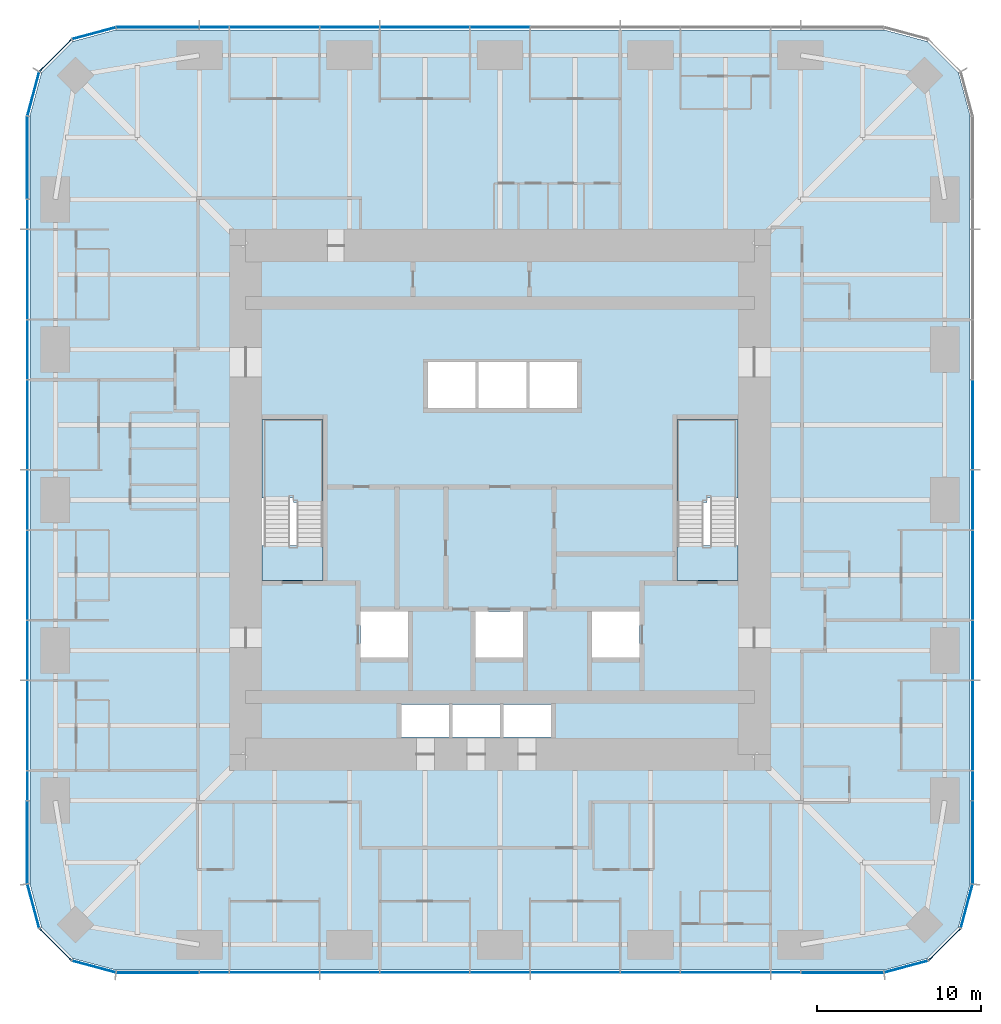
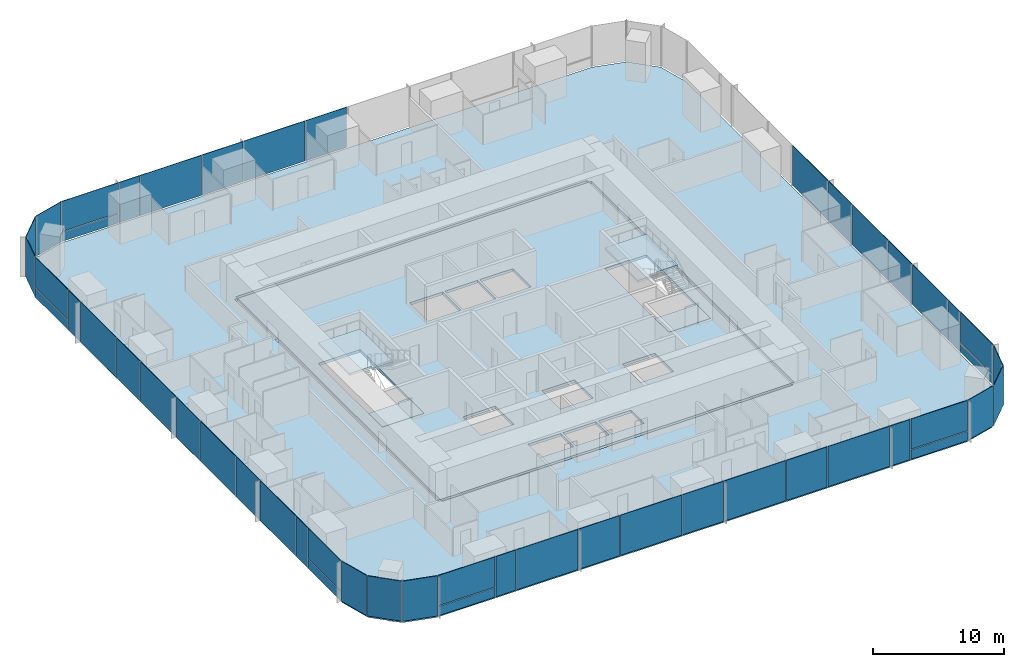
# One storey, part 7 of 13: 50 plates, 6 slabs, 9 elements without a shape of their own.
"""IFC4 building model written with IfcOpenShell, lengths in metres."""

from ifc_helpers import new_model, si_unit, direction, frame, origin, origin_2d, place, context, subcontext, project, spatial, polyline, rectangle, outline, extrude, material, layer, layer_set, type_object, element, aggregate, save


model = new_model("IFC4")

# Units and contexts
model_context = context("Model", 3, precision=1e-05, world=origin(), true_north=direction((0.0, 1.0)))
body_context = subcontext(model_context, "Body", "Model", "MODEL_VIEW")
ifc_project = project(units=[si_unit("LENGTHUNIT", "METRE"), si_unit("AREAUNIT", "SQUARE_METRE"), si_unit("VOLUMEUNIT", "CUBIC_METRE"), si_unit("PLANEANGLEUNIT", "RADIAN"), si_unit("MASSUNIT", "GRAM", prefix="KILO")], contexts=[model_context])

# Site, building, storey
site_placement = place(None, origin())
site = spatial("IfcSite", under=ifc_project, at=site_placement, CompositionType="ELEMENT")
building_placement = place(site_placement, origin())
building = spatial("IfcBuilding", under=site, at=building_placement, Name="Khuree Lantern Residences", CompositionType="ELEMENT")
storey_placement = place(building_placement, frame((0.0, 0.0, 144.75)))
storey = spatial("IfcBuildingStorey", under=building, at=storey_placement, Name="L36", CompositionType="ELEMENT", Elevation=144.75)

# Slab
ifc_material_1 = material(Name="Concrete C35/45", Category="concrete")
ifc_layer_1 = layer(ifc_material_1, 0.25)
ifc_layer_set_1 = layer_set([ifc_layer_1], Name="CFL250 CORE FLOOR SLAB 250")
slab_type_1 = type_object("IfcSlabType", Name="CFL250 CORE FLOOR SLAB 250", PredefinedType="FLOOR", material=ifc_layer_set_1)
slab_1_placement = place(storey_placement, frame((0.0, 0.0, -0.25)))
element("IfcSlab", 1, at=slab_1_placement, inside=storey, type_object=slab_type_1, Name="Core floor L36", PredefinedType="FLOOR", context=body_context, shape_type="SweptSolid", body=[
    extrude(outline(polyline([(-15.5, -15.5), (-15.5, 15.5), (15.5, 15.5), (15.5, -15.5), (-15.5, -15.5)]), holes=[polyline([(10.800048828125, 4.89990234375), (10.800048828125, -4.89990234375), (14.5, -4.89990234375), (14.5, 4.89990234375), (10.800048828125, 4.89990234375)]), polyline([(8.5, -6.800048828125), (5.60009765625, -6.800048828125), (5.60009765625, -9.60009765625), (8.5, -9.60009765625), (8.5, -6.800048828125)]), polyline([(4.699951171875, 8.39990234375), (1.800048828125, 8.39990234375), (1.800048828125, 5.60009765625), (4.699951171875, 5.60009765625), (4.699951171875, 8.39990234375)]), polyline([(3.10009765625, -12.449951171875), (0.199951171875, -12.449951171875), (0.199951171875, -14.449951171875), (3.10009765625, -14.449951171875), (3.10009765625, -12.449951171875)]), polyline([(1.60009765625, 8.39990234375), (-1.300048828125, 8.39990234375), (-1.300048828125, 5.60009765625), (1.60009765625, 5.60009765625), (1.60009765625, 8.39990234375)]), polyline([(1.39990234375, -6.800048828125), (-1.5, -6.800048828125), (-1.5, -9.60009765625), (1.39990234375, -9.60009765625), (1.39990234375, -6.800048828125)]), polyline([(-2.89990234375, -12.449951171875), (-2.89990234375, -14.449951171875), (0.0, -14.449951171875), (0.0, -12.449951171875), (-2.89990234375, -12.449951171875)]), polyline([(-4.39990234375, 8.39990234375), (-4.39990234375, 5.60009765625), (-1.5, 5.60009765625), (-1.5, 8.39990234375), (-4.39990234375, 8.39990234375)]), polyline([(-6.0, -12.449951171875), (-6.0, -14.449951171875), (-3.10009765625, -14.449951171875), (-3.10009765625, -12.449951171875), (-6.0, -12.449951171875)]), polyline([(-8.5, -6.800048828125), (-8.5, -9.60009765625), (-5.60009765625, -9.60009765625), (-5.60009765625, -6.800048828125), (-8.5, -6.800048828125)]), polyline([(-10.800048828125, 4.89990234375), (-14.5, 4.89990234375), (-14.5, -4.89990234375), (-10.800048828125, -4.89990234375), (-10.800048828125, 4.89990234375)])]), origin(), (0.0, 0.0, 1.0), 0.25),
])

# Curtain wall, plates
ifc_material_2 = material(Name="Bronze anodised aluminium", Category="aluminium")
curtain_wall_type_1 = type_object("IfcCurtainWallType", Name="CW-T2 TOWER CORNER CURTAIN WALL", PredefinedType="USERDEFINED", material=ifc_material_2)
curtain_wall_1_placement = place(storey_placement, origin())
curtain_wall_1 = element("IfcCurtainWall", 2, at=curtain_wall_1_placement, inside=storey, type_object=curtain_wall_type_1, Name="L36 SOUTH-EAST CORNER CURTAIN WALL", ObjectType="Faceted corner curtain wall", PredefinedType="USERDEFINED")
ifc_material_3 = material(Name="Bronze tinted triple glazing", Category="glass")
ifc_layer_2 = layer(ifc_material_3, 0.048095703125)
ifc_layer_set_2 = layer_set([ifc_layer_2], Name="FACET PANEL P4")
plate_type_1 = type_object("IfcPlateType", Name="FACET PANEL P4", PredefinedType="CURTAIN_PANEL", material=ifc_layer_set_2)
plate_1_placement = place(storey_placement, frame((24.748046875, -28.438720703125, 0.0), z_axis=(0.0, 0.0, 1.0), x_axis=(0.965925810153, 0.258819105321, 0.0)))
plate_1 = element("IfcPlate", 3, at=plate_1_placement, type_object=plate_type_1, Name="L36 SOUTH-EAST CORNER PANEL 1.1", PredefinedType="CURTAIN_PANEL", context=body_context, shape_type="SweptSolid", body=[
    extrude(rectangle(XDim=2.71923828125, YDim=0.048095703125, at=origin_2d()), origin(), (0.0, 0.0, 1.0), 3.75),
])
plate_2_placement = place(storey_placement, frame((27.08837890625, -27.08837890625, 0.0), z_axis=(0.0, 0.0, 1.0), x_axis=(0.707106781187, 0.707106781187, 0.0)))
plate_2 = element("IfcPlate", 4, at=plate_2_placement, type_object=plate_type_1, Name="L36 SOUTH-EAST CORNER PANEL 2.1", PredefinedType="CURTAIN_PANEL", context=body_context, shape_type="SweptSolid", body=[
    extrude(rectangle(XDim=2.715087890625, YDim=0.048095703125, at=origin_2d()), origin(), (0.0, 0.0, 1.0), 3.75),
])
plate_3_placement = place(storey_placement, frame((28.438720703125, -24.748046875, 0.0), z_axis=(0.0, 0.0, 1.0), x_axis=(0.258819105321, 0.965925810153, 0.0)))
plate_3 = element("IfcPlate", 5, at=plate_3_placement, type_object=plate_type_1, Name="L36 SOUTH-EAST CORNER PANEL 3.1", PredefinedType="CURTAIN_PANEL", context=body_context, shape_type="SweptSolid", body=[
    extrude(rectangle(XDim=2.71923828125, YDim=0.048095703125, at=origin_2d()), origin(), (0.0, 0.0, 1.0), 3.75),
])
aggregate(curtain_wall_1, [plate_1, plate_2, plate_3])

curtain_wall_2_placement = place(storey_placement, origin())
curtain_wall_2 = element("IfcCurtainWall", 6, at=curtain_wall_2_placement, inside=storey, type_object=curtain_wall_type_1, Name="L36 NORTH-WEST CORNER CURTAIN WALL", ObjectType="Faceted corner curtain wall", PredefinedType="USERDEFINED")
plate_4_placement = place(storey_placement, frame((-24.748046875, 28.438720703125, 0.0), z_axis=(0.0, 0.0, 1.0), x_axis=(-0.965925810153, -0.258819105321, 0.0)))
plate_4 = element("IfcPlate", 7, at=plate_4_placement, type_object=plate_type_1, Name="L36 NORTH-WEST CORNER PANEL 29.1", PredefinedType="CURTAIN_PANEL", context=body_context, shape_type="SweptSolid", body=[
    extrude(rectangle(XDim=2.71923828125, YDim=0.048095703125, at=origin_2d()), origin(), (0.0, 0.0, 1.0), 3.75),
])
plate_5_placement = place(storey_placement, frame((-27.08837890625, 27.08837890625, 0.0), z_axis=(0.0, 0.0, 1.0), x_axis=(-0.707106781187, -0.707106781187, 0.0)))
plate_5 = element("IfcPlate", 8, at=plate_5_placement, type_object=plate_type_1, Name="L36 NORTH-WEST CORNER PANEL 30.1", PredefinedType="CURTAIN_PANEL", context=body_context, shape_type="SweptSolid", body=[
    extrude(rectangle(XDim=2.715087890625, YDim=0.048095703125, at=origin_2d()), origin(), (0.0, 0.0, 1.0), 3.75),
])
plate_6_placement = place(storey_placement, frame((-28.438720703125, 24.748046875, 0.0), z_axis=(0.0, 0.0, 1.0), x_axis=(-0.258819105321, -0.965925810153, 0.0)))
plate_6 = element("IfcPlate", 9, at=plate_6_placement, type_object=plate_type_1, Name="L36 NORTH-WEST CORNER PANEL 31.1", PredefinedType="CURTAIN_PANEL", context=body_context, shape_type="SweptSolid", body=[
    extrude(rectangle(XDim=2.71923828125, YDim=0.048095703125, at=origin_2d()), origin(), (0.0, 0.0, 1.0), 3.75),
])
aggregate(curtain_wall_2, [plate_4, plate_5, plate_6])

curtain_wall_3_placement = place(storey_placement, origin())
curtain_wall_3 = element("IfcCurtainWall", 10, at=curtain_wall_3_placement, inside=storey, type_object=curtain_wall_type_1, Name="L36 SOUTH-WEST CORNER CURTAIN WALL", ObjectType="Faceted corner curtain wall", PredefinedType="USERDEFINED")
plate_7_placement = place(storey_placement, frame((-28.438720703125, -24.748046875, 0.0), z_axis=(0.0, 0.0, 1.0), x_axis=(0.258819105321, -0.965925810153, 0.0)))
plate_7 = element("IfcPlate", 11, at=plate_7_placement, type_object=plate_type_1, Name="L36 SOUTH-WEST CORNER PANEL 43.1", PredefinedType="CURTAIN_PANEL", context=body_context, shape_type="SweptSolid", body=[
    extrude(rectangle(XDim=2.71923828125, YDim=0.048095703125, at=origin_2d()), origin(), (0.0, 0.0, 1.0), 3.75),
])
plate_8_placement = place(storey_placement, frame((-27.08837890625, -27.08837890625, 0.0), z_axis=(0.0, 0.0, 1.0), x_axis=(0.707106781187, -0.707106781187, 0.0)))
plate_8 = element("IfcPlate", 12, at=plate_8_placement, type_object=plate_type_1, Name="L36 SOUTH-WEST CORNER PANEL 44.1", PredefinedType="CURTAIN_PANEL", context=body_context, shape_type="SweptSolid", body=[
    extrude(rectangle(XDim=2.715087890625, YDim=0.048095703125, at=origin_2d()), origin(), (0.0, 0.0, 1.0), 3.75),
])
plate_9_placement = place(storey_placement, frame((-24.748046875, -28.438720703125, 0.0), z_axis=(0.0, 0.0, 1.0), x_axis=(0.965925810153, -0.258819105321, 0.0)))
plate_9 = element("IfcPlate", 13, at=plate_9_placement, type_object=plate_type_1, Name="L36 SOUTH-WEST CORNER PANEL 45.1", PredefinedType="CURTAIN_PANEL", context=body_context, shape_type="SweptSolid", body=[
    extrude(rectangle(XDim=2.71923828125, YDim=0.048095703125, at=origin_2d()), origin(), (0.0, 0.0, 1.0), 3.75),
])
aggregate(curtain_wall_3, [plate_7, plate_8, plate_9])

curtain_wall_type_2 = type_object("IfcCurtainWallType", Name="CW-T1 TOWER FACE CURTAIN WALL", PredefinedType="USERDEFINED", material=ifc_material_2)
curtain_wall_4_placement = place(storey_placement, origin())
curtain_wall_4 = element("IfcCurtainWall", 14, at=curtain_wall_4_placement, inside=storey, type_object=curtain_wall_type_2, Name="L36 EAST FACE CURTAIN WALL", ObjectType="Stick-built curtain wall", PredefinedType="USERDEFINED")
ifc_material_4 = material(Name="Bronze tinted triple glazing with a ceramic-fritted spandrel band", Category="glass")
ifc_layer_3 = layer(ifc_material_4, 0.048095703125)
ifc_layer_set_3 = layer_set([ifc_layer_3], Name="FIXED LIGHT PANEL P11")
plate_type_2 = type_object("IfcPlateType", Name="FIXED LIGHT PANEL P11", PredefinedType="CURTAIN_PANEL", material=ifc_layer_set_3)
plate_10_placement = place(storey_placement, frame((28.800048828125, -13.739990234375, 0.0), z_axis=(0.0, 0.0, 1.0), x_axis=(0.0, 1.0, 0.0)))
plate_10 = element("IfcPlate", 15, at=plate_10_placement, type_object=plate_type_2, Name="L36 EAST FACE PANEL 6.1", PredefinedType="CURTAIN_PANEL", context=body_context, shape_type="SweptSolid", body=[
    extrude(rectangle(XDim=5.430908203125, YDim=0.048095703125, at=origin_2d()), origin(), (0.0, 0.0, 1.0), 3.75),
])
plate_11_placement = place(storey_placement, frame((28.800048828125, -4.580078125, 0.0), z_axis=(0.0, 0.0, 1.0), x_axis=(0.0, 1.0, 0.0)))
plate_11 = element("IfcPlate", 16, at=plate_11_placement, type_object=plate_type_2, Name="L36 EAST FACE PANEL 8.1", PredefinedType="CURTAIN_PANEL", context=body_context, shape_type="SweptSolid", body=[
    extrude(rectangle(XDim=5.430908203125, YDim=0.048095703125, at=origin_2d()), origin(), (0.0, 0.0, 1.0), 3.75),
])
plate_12_placement = place(storey_placement, frame((28.800048828125, 4.580078125, 0.0), z_axis=(0.0, 0.0, 1.0), x_axis=(0.0, 1.0, 0.0)))
plate_12 = element("IfcPlate", 17, at=plate_12_placement, type_object=plate_type_2, Name="L36 EAST FACE PANEL 10.1", PredefinedType="CURTAIN_PANEL", context=body_context, shape_type="SweptSolid", body=[
    extrude(rectangle(XDim=5.430908203125, YDim=0.048095703125, at=origin_2d()), origin(), (0.0, 0.0, 1.0), 3.75),
])

curtain_wall_5_placement = place(storey_placement, origin())
curtain_wall_5 = element("IfcCurtainWall", 18, at=curtain_wall_5_placement, inside=storey, type_object=curtain_wall_type_2, Name="L36 NORTH FACE CURTAIN WALL", ObjectType="Stick-built curtain wall", PredefinedType="USERDEFINED")
plate_13_placement = place(storey_placement, frame((-4.580078125, 28.800048828125, 0.0), z_axis=(0.0, 0.0, 1.0), x_axis=(-1.0, 0.0, 0.0)))
plate_13 = element("IfcPlate", 19, at=plate_13_placement, type_object=plate_type_2, Name="L36 NORTH FACE PANEL 24.1", PredefinedType="CURTAIN_PANEL", context=body_context, shape_type="SweptSolid", body=[
    extrude(rectangle(XDim=5.430908203125, YDim=0.048095703125, at=origin_2d()), origin(), (0.0, 0.0, 1.0), 3.75),
])
plate_14_placement = place(storey_placement, frame((-13.739990234375, 28.800048828125, 0.0), z_axis=(0.0, 0.0, 1.0), x_axis=(-1.0, 0.0, 0.0)))
plate_14 = element("IfcPlate", 20, at=plate_14_placement, type_object=plate_type_2, Name="L36 NORTH FACE PANEL 26.1", PredefinedType="CURTAIN_PANEL", context=body_context, shape_type="SweptSolid", body=[
    extrude(rectangle(XDim=5.430908203125, YDim=0.048095703125, at=origin_2d()), origin(), (0.0, 0.0, 1.0), 3.75),
])

curtain_wall_6_placement = place(storey_placement, origin())
curtain_wall_6 = element("IfcCurtainWall", 21, at=curtain_wall_6_placement, inside=storey, type_object=curtain_wall_type_2, Name="L36 WEST FACE CURTAIN WALL", ObjectType="Stick-built curtain wall", PredefinedType="USERDEFINED")
plate_15_placement = place(storey_placement, frame((-28.800048828125, 13.739990234375, 0.0), z_axis=(0.0, 0.0, 1.0), x_axis=(0.0, -1.0, 0.0)))
plate_15 = element("IfcPlate", 22, at=plate_15_placement, type_object=plate_type_2, Name="L36 WEST FACE PANEL 34.1", PredefinedType="CURTAIN_PANEL", context=body_context, shape_type="SweptSolid", body=[
    extrude(rectangle(XDim=5.430908203125, YDim=0.048095703125, at=origin_2d()), origin(), (0.0, 0.0, 1.0), 3.75),
])
plate_16_placement = place(storey_placement, frame((-28.800048828125, 4.580078125, 0.0), z_axis=(0.0, 0.0, 1.0), x_axis=(0.0, -1.0, 0.0)))
plate_16 = element("IfcPlate", 23, at=plate_16_placement, type_object=plate_type_2, Name="L36 WEST FACE PANEL 36.1", PredefinedType="CURTAIN_PANEL", context=body_context, shape_type="SweptSolid", body=[
    extrude(rectangle(XDim=5.430908203125, YDim=0.048095703125, at=origin_2d()), origin(), (0.0, 0.0, 1.0), 3.75),
])
plate_17_placement = place(storey_placement, frame((-28.800048828125, -4.580078125, 0.0), z_axis=(0.0, 0.0, 1.0), x_axis=(0.0, -1.0, 0.0)))
plate_17 = element("IfcPlate", 24, at=plate_17_placement, type_object=plate_type_2, Name="L36 WEST FACE PANEL 38.1", PredefinedType="CURTAIN_PANEL", context=body_context, shape_type="SweptSolid", body=[
    extrude(rectangle(XDim=5.430908203125, YDim=0.048095703125, at=origin_2d()), origin(), (0.0, 0.0, 1.0), 3.75),
])
plate_18_placement = place(storey_placement, frame((-28.800048828125, -13.739990234375, 0.0), z_axis=(0.0, 0.0, 1.0), x_axis=(0.0, -1.0, 0.0)))
plate_18 = element("IfcPlate", 25, at=plate_18_placement, type_object=plate_type_2, Name="L36 WEST FACE PANEL 40.1", PredefinedType="CURTAIN_PANEL", context=body_context, shape_type="SweptSolid", body=[
    extrude(rectangle(XDim=5.430908203125, YDim=0.048095703125, at=origin_2d()), origin(), (0.0, 0.0, 1.0), 3.75),
])

curtain_wall_7_placement = place(storey_placement, origin())
curtain_wall_7 = element("IfcCurtainWall", 26, at=curtain_wall_7_placement, inside=storey, type_object=curtain_wall_type_2, Name="L36 SOUTH FACE CURTAIN WALL", ObjectType="Stick-built curtain wall", PredefinedType="USERDEFINED")
plate_19_placement = place(storey_placement, frame((-13.739990234375, -28.800048828125, 0.0), z_axis=(0.0, 0.0, 1.0), x_axis=(1.0, 0.0, 0.0)))
plate_19 = element("IfcPlate", 27, at=plate_19_placement, type_object=plate_type_2, Name="L36 SOUTH FACE PANEL 48.1", PredefinedType="CURTAIN_PANEL", context=body_context, shape_type="SweptSolid", body=[
    extrude(rectangle(XDim=5.430908203125, YDim=0.048095703125, at=origin_2d()), origin(), (0.0, 0.0, 1.0), 3.75),
])
plate_20_placement = place(storey_placement, frame((-4.580078125, -28.800048828125, 0.0), z_axis=(0.0, 0.0, 1.0), x_axis=(1.0, 0.0, 0.0)))
plate_20 = element("IfcPlate", 28, at=plate_20_placement, type_object=plate_type_2, Name="L36 SOUTH FACE PANEL 50.1", PredefinedType="CURTAIN_PANEL", context=body_context, shape_type="SweptSolid", body=[
    extrude(rectangle(XDim=5.430908203125, YDim=0.048095703125, at=origin_2d()), origin(), (0.0, 0.0, 1.0), 3.75),
])
plate_21_placement = place(storey_placement, frame((4.580078125, -28.800048828125, 0.0), z_axis=(0.0, 0.0, 1.0), x_axis=(1.0, 0.0, 0.0)))
plate_21 = element("IfcPlate", 29, at=plate_21_placement, type_object=plate_type_2, Name="L36 SOUTH FACE PANEL 52.1", PredefinedType="CURTAIN_PANEL", context=body_context, shape_type="SweptSolid", body=[
    extrude(rectangle(XDim=5.430908203125, YDim=0.048095703125, at=origin_2d()), origin(), (0.0, 0.0, 1.0), 3.75),
])
plate_22_placement = place(storey_placement, frame((13.739990234375, -28.800048828125, 0.0), z_axis=(0.0, 0.0, 1.0), x_axis=(1.0, 0.0, 0.0)))
plate_22 = element("IfcPlate", 30, at=plate_22_placement, type_object=plate_type_2, Name="L36 SOUTH FACE PANEL 54.1", PredefinedType="CURTAIN_PANEL", context=body_context, shape_type="SweptSolid", body=[
    extrude(rectangle(XDim=5.430908203125, YDim=0.048095703125, at=origin_2d()), origin(), (0.0, 0.0, 1.0), 3.75),
])

# Slab
ifc_layer_4 = layer(ifc_material_1, 0.25)
ifc_layer_set_4 = layer_set([ifc_layer_4], Name="FS250 FLOOR SLAB 250")
slab_type_2 = type_object("IfcSlabType", Name="FS250 FLOOR SLAB 250", PredefinedType="FLOOR", material=ifc_layer_set_4)
slab_2_placement = place(storey_placement, frame((0.0, 0.0, -0.25)))
element("IfcSlab", 31, at=slab_2_placement, inside=storey, type_object=slab_type_2, Name="Floor slab L36", PredefinedType="FLOOR", context=body_context, shape_type="SweptSolid", body=[
    extrude(outline(polyline([(-26.02490234375, -27.946533203125), (-27.946533203125, -26.02490234375), (-28.64990234375, -23.39990234375), (-28.64990234375, 23.39990234375), (-27.946533203125, 26.02490234375), (-26.02490234375, 27.946533203125), (-23.39990234375, 28.64990234375), (23.39990234375, 28.64990234375), (26.02490234375, 27.946533203125), (27.946533203125, 26.02490234375), (28.64990234375, 23.39990234375), (28.64990234375, -23.39990234375), (27.946533203125, -26.02490234375), (26.02490234375, -27.946533203125), (23.39990234375, -28.64990234375), (-23.39990234375, -28.64990234375), (-26.02490234375, -27.946533203125)]), holes=[polyline([(15.75, 15.5), (15.5, 15.5), (15.5, 15.75), (-15.5, 15.75), (-15.5, 15.5), (-15.75, 15.5), (-15.75, -15.5), (-15.5, -15.5), (-15.5, -15.75), (15.5, -15.75), (15.5, -15.5), (15.75, -15.5), (15.75, 15.5)])]), origin(), (0.0, 0.0, 1.0), 0.25),
])

# Plate
ifc_material_5 = material(Name="Bronze tinted triple glazing, two aluminium-framed sashes in one frame", Category="aluminium")
ifc_layer_5 = layer(ifc_material_5, 0.048095703125)
ifc_layer_set_5 = layer_set([ifc_layer_5], Name="SASH PAIR PANEL P12")
plate_type_3 = type_object("IfcPlateType", Name="SASH PAIR PANEL P12", PredefinedType="CURTAIN_PANEL", material=ifc_layer_set_5)
plate_23_placement = place(storey_placement, frame((28.800048828125, -9.159912109375, 0.0), z_axis=(0.0, 0.0, 1.0), x_axis=(0.0, 1.0, 0.0)))
plate_23 = element("IfcPlate", 32, at=plate_23_placement, type_object=plate_type_3, Name="L36 EAST FACE PANEL 7.1", PredefinedType="CURTAIN_PANEL", context=body_context, shape_type="SweptSolid", body=[
    extrude(rectangle(XDim=3.59912109375, YDim=0.048095703125, at=origin_2d()), origin(), (0.0, 0.0, 1.0), 3.75),
])

plate_24_placement = place(storey_placement, frame((28.800048828125, 0.0, 0.0), z_axis=(0.0, 0.0, 1.0), x_axis=(0.0, 1.0, 0.0)))
plate_24 = element("IfcPlate", 33, at=plate_24_placement, type_object=plate_type_3, Name="L36 EAST FACE PANEL 9.1", PredefinedType="CURTAIN_PANEL", context=body_context, shape_type="SweptSolid", body=[
    extrude(rectangle(XDim=3.59912109375, YDim=0.048095703125, at=origin_2d()), origin(), (0.0, 0.0, 1.0), 3.75),
])

plate_25_placement = place(storey_placement, frame((0.0, 28.800048828125, 0.0), z_axis=(0.0, 0.0, 1.0), x_axis=(-1.0, 0.0, 0.0)))
plate_25 = element("IfcPlate", 34, at=plate_25_placement, type_object=plate_type_3, Name="L36 NORTH FACE PANEL 23.1", PredefinedType="CURTAIN_PANEL", context=body_context, shape_type="SweptSolid", body=[
    extrude(rectangle(XDim=3.59912109375, YDim=0.048095703125, at=origin_2d()), origin(), (0.0, 0.0, 1.0), 3.75),
])

plate_26_placement = place(storey_placement, frame((-9.159912109375, 28.800048828125, 0.0), z_axis=(0.0, 0.0, 1.0), x_axis=(-1.0, 0.0, 0.0)))
plate_26 = element("IfcPlate", 35, at=plate_26_placement, type_object=plate_type_3, Name="L36 NORTH FACE PANEL 25.1", PredefinedType="CURTAIN_PANEL", context=body_context, shape_type="SweptSolid", body=[
    extrude(rectangle(XDim=3.59912109375, YDim=0.048095703125, at=origin_2d()), origin(), (0.0, 0.0, 1.0), 3.75),
])

plate_27_placement = place(storey_placement, frame((-28.800048828125, 9.159912109375, 0.0), z_axis=(0.0, 0.0, 1.0), x_axis=(0.0, -1.0, 0.0)))
plate_27 = element("IfcPlate", 36, at=plate_27_placement, type_object=plate_type_3, Name="L36 WEST FACE PANEL 35.1", PredefinedType="CURTAIN_PANEL", context=body_context, shape_type="SweptSolid", body=[
    extrude(rectangle(XDim=3.59912109375, YDim=0.048095703125, at=origin_2d()), origin(), (0.0, 0.0, 1.0), 3.75),
])

plate_28_placement = place(storey_placement, frame((-28.800048828125, 0.0, 0.0), z_axis=(0.0, 0.0, 1.0), x_axis=(0.0, -1.0, 0.0)))
plate_28 = element("IfcPlate", 37, at=plate_28_placement, type_object=plate_type_3, Name="L36 WEST FACE PANEL 37.1", PredefinedType="CURTAIN_PANEL", context=body_context, shape_type="SweptSolid", body=[
    extrude(rectangle(XDim=3.59912109375, YDim=0.048095703125, at=origin_2d()), origin(), (0.0, 0.0, 1.0), 3.75),
])

plate_29_placement = place(storey_placement, frame((-28.800048828125, -9.159912109375, 0.0), z_axis=(0.0, 0.0, 1.0), x_axis=(0.0, -1.0, 0.0)))
plate_29 = element("IfcPlate", 38, at=plate_29_placement, type_object=plate_type_3, Name="L36 WEST FACE PANEL 39.1", PredefinedType="CURTAIN_PANEL", context=body_context, shape_type="SweptSolid", body=[
    extrude(rectangle(XDim=3.59912109375, YDim=0.048095703125, at=origin_2d()), origin(), (0.0, 0.0, 1.0), 3.75),
])

plate_30_placement = place(storey_placement, frame((-9.159912109375, -28.800048828125, 0.0), z_axis=(0.0, 0.0, 1.0), x_axis=(1.0, 0.0, 0.0)))
plate_30 = element("IfcPlate", 39, at=plate_30_placement, type_object=plate_type_3, Name="L36 SOUTH FACE PANEL 49.1", PredefinedType="CURTAIN_PANEL", context=body_context, shape_type="SweptSolid", body=[
    extrude(rectangle(XDim=3.59912109375, YDim=0.048095703125, at=origin_2d()), origin(), (0.0, 0.0, 1.0), 3.75),
])

plate_31_placement = place(storey_placement, frame((0.0, -28.800048828125, 0.0), z_axis=(0.0, 0.0, 1.0), x_axis=(1.0, 0.0, 0.0)))
plate_31 = element("IfcPlate", 40, at=plate_31_placement, type_object=plate_type_3, Name="L36 SOUTH FACE PANEL 51.1", PredefinedType="CURTAIN_PANEL", context=body_context, shape_type="SweptSolid", body=[
    extrude(rectangle(XDim=3.59912109375, YDim=0.048095703125, at=origin_2d()), origin(), (0.0, 0.0, 1.0), 3.75),
])

plate_32_placement = place(storey_placement, frame((9.159912109375, -28.800048828125, 0.0), z_axis=(0.0, 0.0, 1.0), x_axis=(1.0, 0.0, 0.0)))
plate_32 = element("IfcPlate", 41, at=plate_32_placement, type_object=plate_type_3, Name="L36 SOUTH FACE PANEL 53.1", PredefinedType="CURTAIN_PANEL", context=body_context, shape_type="SweptSolid", body=[
    extrude(rectangle(XDim=3.59912109375, YDim=0.048095703125, at=origin_2d()), origin(), (0.0, 0.0, 1.0), 3.75),
])

ifc_material_6 = material(Name="Bronze tinted triple glazing, aluminium-framed sash", Category="aluminium")
ifc_layer_6 = layer(ifc_material_6, 0.048095703125)
ifc_layer_set_6 = layer_set([ifc_layer_6], Name="SASH PANEL P3")
plate_type_4 = type_object("IfcPlateType", Name="SASH PANEL P3", PredefinedType="CURTAIN_PANEL", material=ifc_layer_set_6)
plate_33_placement = place(storey_placement, frame((28.800048828125, -17.404052734375, 0.0), z_axis=(0.0, 0.0, 1.0), x_axis=(0.0, 1.0, 0.0)))
plate_33 = element("IfcPlate", 42, at=plate_33_placement, type_object=plate_type_4, Name="L36 EAST FACE PANEL 5.1", PredefinedType="CURTAIN_PANEL", context=body_context, shape_type="SweptSolid", body=[
    extrude(rectangle(XDim=1.76708984375, YDim=0.048095703125, at=origin_2d()), origin(), (0.0, 0.0, 1.0), 3.75),
])

plate_34_placement = place(storey_placement, frame((-17.404052734375, 28.800048828125, 0.0), z_axis=(0.0, 0.0, 1.0), x_axis=(-1.0, 0.0, 0.0)))
plate_34 = element("IfcPlate", 43, at=plate_34_placement, type_object=plate_type_4, Name="L36 NORTH FACE PANEL 27.1", PredefinedType="CURTAIN_PANEL", context=body_context, shape_type="SweptSolid", body=[
    extrude(rectangle(XDim=1.76708984375, YDim=0.048095703125, at=origin_2d()), origin(), (0.0, 0.0, 1.0), 3.75),
])

plate_35_placement = place(storey_placement, frame((-28.800048828125, 17.404052734375, 0.0), z_axis=(0.0, 0.0, 1.0), x_axis=(0.0, -1.0, 0.0)))
plate_35 = element("IfcPlate", 44, at=plate_35_placement, type_object=plate_type_4, Name="L36 WEST FACE PANEL 33.1", PredefinedType="CURTAIN_PANEL", context=body_context, shape_type="SweptSolid", body=[
    extrude(rectangle(XDim=1.76708984375, YDim=0.048095703125, at=origin_2d()), origin(), (0.0, 0.0, 1.0), 3.75),
])

plate_36_placement = place(storey_placement, frame((-28.800048828125, -17.404052734375, 0.0), z_axis=(0.0, 0.0, 1.0), x_axis=(0.0, -1.0, 0.0)))
plate_36 = element("IfcPlate", 45, at=plate_36_placement, type_object=plate_type_4, Name="L36 WEST FACE PANEL 41.1", PredefinedType="CURTAIN_PANEL", context=body_context, shape_type="SweptSolid", body=[
    extrude(rectangle(XDim=1.76708984375, YDim=0.048095703125, at=origin_2d()), origin(), (0.0, 0.0, 1.0), 3.75),
])

plate_37_placement = place(storey_placement, frame((-17.404052734375, -28.800048828125, 0.0), z_axis=(0.0, 0.0, 1.0), x_axis=(1.0, 0.0, 0.0)))
plate_37 = element("IfcPlate", 46, at=plate_37_placement, type_object=plate_type_4, Name="L36 SOUTH FACE PANEL 47.1", PredefinedType="CURTAIN_PANEL", context=body_context, shape_type="SweptSolid", body=[
    extrude(rectangle(XDim=1.76708984375, YDim=0.048095703125, at=origin_2d()), origin(), (0.0, 0.0, 1.0), 3.75),
])

plate_38_placement = place(storey_placement, frame((17.404052734375, -28.800048828125, 0.0), z_axis=(0.0, 0.0, 1.0), x_axis=(1.0, 0.0, 0.0)))
plate_38 = element("IfcPlate", 47, at=plate_38_placement, type_object=plate_type_4, Name="L36 SOUTH FACE PANEL 55.1", PredefinedType="CURTAIN_PANEL", context=body_context, shape_type="SweptSolid", body=[
    extrude(rectangle(XDim=1.76708984375, YDim=0.048095703125, at=origin_2d()), origin(), (0.0, 0.0, 1.0), 3.75),
])

ifc_material_7 = material(Name="Bronze anodised aluminium insulated spandrel", Category="aluminium")
ifc_layer_7 = layer(ifc_material_7, 0.06005859375)
ifc_layer_set_7 = layer_set([ifc_layer_7], Name="SPANDREL PANEL P2")
plate_type_5 = type_object("IfcPlateType", Name="SPANDREL PANEL P2", PredefinedType="CURTAIN_PANEL", material=ifc_layer_set_7)
plate_39_placement = place(storey_placement, frame((28.800048828125, -20.85791015625, 0.0), z_axis=(0.0, 0.0, 1.0), x_axis=(0.0, 1.0, 0.0)))
plate_39 = element("IfcPlate", 48, at=plate_39_placement, type_object=plate_type_5, Name="L36 EAST FACE PANEL 4.1", PredefinedType="CURTAIN_PANEL", context=body_context, shape_type="SweptSolid", body=[
    extrude(rectangle(XDim=5.0107421875, YDim=0.06005859375, at=origin_2d()), origin(), (0.0, 0.0, 1.0), 0.867431640625),
])

plate_40_placement = place(storey_placement, frame((-20.85791015625, 28.800048828125, 0.0), z_axis=(0.0, 0.0, 1.0), x_axis=(-1.0, 0.0, 0.0)))
plate_40 = element("IfcPlate", 49, at=plate_40_placement, type_object=plate_type_5, Name="L36 NORTH FACE PANEL 28.1", PredefinedType="CURTAIN_PANEL", context=body_context, shape_type="SweptSolid", body=[
    extrude(rectangle(XDim=5.0107421875, YDim=0.06005859375, at=origin_2d()), origin(), (0.0, 0.0, 1.0), 0.867431640625),
])

plate_41_placement = place(storey_placement, frame((-28.800048828125, 20.85791015625, 0.0), z_axis=(0.0, 0.0, 1.0), x_axis=(0.0, -1.0, 0.0)))
plate_41 = element("IfcPlate", 50, at=plate_41_placement, type_object=plate_type_5, Name="L36 WEST FACE PANEL 32.1", PredefinedType="CURTAIN_PANEL", context=body_context, shape_type="SweptSolid", body=[
    extrude(rectangle(XDim=5.0107421875, YDim=0.06005859375, at=origin_2d()), origin(), (0.0, 0.0, 1.0), 0.867431640625),
])

plate_42_placement = place(storey_placement, frame((-28.800048828125, -20.85791015625, 0.0), z_axis=(0.0, 0.0, 1.0), x_axis=(0.0, -1.0, 0.0)))
plate_42 = element("IfcPlate", 51, at=plate_42_placement, type_object=plate_type_5, Name="L36 WEST FACE PANEL 42.1", PredefinedType="CURTAIN_PANEL", context=body_context, shape_type="SweptSolid", body=[
    extrude(rectangle(XDim=5.0107421875, YDim=0.06005859375, at=origin_2d()), origin(), (0.0, 0.0, 1.0), 0.867431640625),
])

plate_43_placement = place(storey_placement, frame((-20.85791015625, -28.800048828125, 0.0), z_axis=(0.0, 0.0, 1.0), x_axis=(1.0, 0.0, 0.0)))
plate_43 = element("IfcPlate", 52, at=plate_43_placement, type_object=plate_type_5, Name="L36 SOUTH FACE PANEL 46.1", PredefinedType="CURTAIN_PANEL", context=body_context, shape_type="SweptSolid", body=[
    extrude(rectangle(XDim=5.0107421875, YDim=0.06005859375, at=origin_2d()), origin(), (0.0, 0.0, 1.0), 0.867431640625),
])

plate_44_placement = place(storey_placement, frame((20.85791015625, -28.800048828125, 0.0), z_axis=(0.0, 0.0, 1.0), x_axis=(1.0, 0.0, 0.0)))
plate_44 = element("IfcPlate", 53, at=plate_44_placement, type_object=plate_type_5, Name="L36 SOUTH FACE PANEL 56.1", PredefinedType="CURTAIN_PANEL", context=body_context, shape_type="SweptSolid", body=[
    extrude(rectangle(XDim=5.0107421875, YDim=0.06005859375, at=origin_2d()), origin(), (0.0, 0.0, 1.0), 0.867431640625),
])

# Stair, slabs
ifc_material_8 = material(Name="Concrete C40/50", Category="concrete")
stair_type = type_object("IfcStairType", Name="STAIR ST1 HALF TURN 3600", PredefinedType="HALF_TURN_STAIR", material=ifc_material_8)
stair_1_placement = place(storey_placement, origin())
stair_1 = element("IfcStair", 54, at=stair_1_placement, inside=storey, type_object=stair_type, Name="Stair ST1", PredefinedType="HALF_TURN_STAIR")
ifc_layer_8 = layer(ifc_material_8, 0.199951171875)
ifc_layer_set_8 = layer_set([ifc_layer_8], Name="STAIR LANDING SL1 200")
slab_type_3 = type_object("IfcSlabType", Name="STAIR LANDING SL1 200", PredefinedType="LANDING", material=ifc_layer_set_8)
slab_3_placement = place(storey_placement, frame((0.0, 0.0, -0.199951171875)))
slab_3 = element("IfcSlab", 55, at=slab_3_placement, type_object=slab_type_3, Name="ST1 landing 1", PredefinedType="LANDING", context=body_context, shape_type="SweptSolid", body=[
    extrude(outline(polyline([(-14.5, -4.89990234375), (-10.800048828125, -4.89990234375), (-10.800048828125, -2.760009765625), (-14.5, -2.760009765625), (-14.5, -4.89990234375)])), origin(), (0.0, 0.0, 1.0), 0.199951171875),
])
slab_4_placement = place(storey_placement, frame((0.0, 0.0, 1.756591796875)))
slab_4 = element("IfcSlab", 56, at=slab_4_placement, type_object=slab_type_3, Name="ST1 landing 2", PredefinedType="LANDING", context=body_context, shape_type="SweptSolid", body=[
    extrude(outline(polyline([(-14.5, 0.1201171875), (-14.5, 4.89990234375), (-10.800048828125, 4.89990234375), (-10.800048828125, -0.159912109375), (-12.60009765625, -0.159912109375), (-12.60009765625, 0.1201171875), (-14.5, 0.1201171875)])), origin(), (0.0, 0.0, 1.0), 0.199951171875),
])
aggregate(stair_1, [slab_3, slab_4])

stair_2_placement = place(storey_placement, origin())
stair_2 = element("IfcStair", 57, at=stair_2_placement, inside=storey, type_object=stair_type, Name="Stair ST2", PredefinedType="HALF_TURN_STAIR")
slab_5_placement = place(storey_placement, frame((0.0, 0.0, -0.199951171875)))
slab_5 = element("IfcSlab", 58, at=slab_5_placement, type_object=slab_type_3, Name="ST2 landing 1", PredefinedType="LANDING", context=body_context, shape_type="SweptSolid", body=[
    extrude(outline(polyline([(10.800048828125, -4.89990234375), (14.5, -4.89990234375), (14.5, -2.760009765625), (10.800048828125, -2.760009765625), (10.800048828125, -4.89990234375)])), origin(), (0.0, 0.0, 1.0), 0.199951171875),
])
slab_6_placement = place(storey_placement, frame((0.0, 0.0, 1.756591796875)))
slab_6 = element("IfcSlab", 59, at=slab_6_placement, type_object=slab_type_3, Name="ST2 landing 2", PredefinedType="LANDING", context=body_context, shape_type="SweptSolid", body=[
    extrude(outline(polyline([(14.5, 4.89990234375), (14.5, 0.1201171875), (12.60009765625, 0.1201171875), (12.60009765625, -0.159912109375), (10.800048828125, -0.159912109375), (10.800048828125, 4.89990234375), (14.5, 4.89990234375)])), origin(), (0.0, 0.0, 1.0), 0.199951171875),
])
aggregate(stair_2, [slab_5, slab_6])

# Plate
ifc_layer_9 = layer(ifc_material_3, 0.048095703125)
ifc_layer_set_9 = layer_set([ifc_layer_9], Name="VISION PANEL P1")
plate_type_6 = type_object("IfcPlateType", Name="VISION PANEL P1", PredefinedType="CURTAIN_PANEL", material=ifc_layer_set_9)
plate_45_placement = place(storey_placement, frame((28.800048828125, -20.8583984375, 0.9326171875), z_axis=(0.0, 0.0, 1.0), x_axis=(0.0, 1.0, 0.0)))
plate_45 = element("IfcPlate", 60, at=plate_45_placement, type_object=plate_type_6, Name="L36 EAST FACE PANEL 4.2", PredefinedType="CURTAIN_PANEL", context=body_context, shape_type="SweptSolid", body=[
    extrude(rectangle(XDim=5.011474609375, YDim=0.048095703125, at=origin_2d()), origin(), (0.0, 0.0, 1.0), 2.8173828125),
])

aggregate(curtain_wall_4, [plate_39, plate_45, plate_33, plate_10, plate_23, plate_11, plate_24, plate_12])

plate_46_placement = place(storey_placement, frame((-20.8583984375, 28.800048828125, 0.9326171875), z_axis=(0.0, 0.0, 1.0), x_axis=(-1.0, 0.0, 0.0)))
plate_46 = element("IfcPlate", 61, at=plate_46_placement, type_object=plate_type_6, Name="L36 NORTH FACE PANEL 28.2", PredefinedType="CURTAIN_PANEL", context=body_context, shape_type="SweptSolid", body=[
    extrude(rectangle(XDim=5.011474609375, YDim=0.048095703125, at=origin_2d()), origin(), (0.0, 0.0, 1.0), 2.8173828125),
])

aggregate(curtain_wall_5, [plate_25, plate_13, plate_26, plate_14, plate_34, plate_40, plate_46])

plate_47_placement = place(storey_placement, frame((-28.800048828125, 20.8583984375, 0.9326171875), z_axis=(0.0, 0.0, 1.0), x_axis=(0.0, -1.0, 0.0)))
plate_47 = element("IfcPlate", 62, at=plate_47_placement, type_object=plate_type_6, Name="L36 WEST FACE PANEL 32.2", PredefinedType="CURTAIN_PANEL", context=body_context, shape_type="SweptSolid", body=[
    extrude(rectangle(XDim=5.011474609375, YDim=0.048095703125, at=origin_2d()), origin(), (0.0, 0.0, 1.0), 2.8173828125),
])

plate_48_placement = place(storey_placement, frame((-28.800048828125, -20.8583984375, 0.9326171875), z_axis=(0.0, 0.0, 1.0), x_axis=(0.0, -1.0, 0.0)))
plate_48 = element("IfcPlate", 63, at=plate_48_placement, type_object=plate_type_6, Name="L36 WEST FACE PANEL 42.2", PredefinedType="CURTAIN_PANEL", context=body_context, shape_type="SweptSolid", body=[
    extrude(rectangle(XDim=5.011474609375, YDim=0.048095703125, at=origin_2d()), origin(), (0.0, 0.0, 1.0), 2.8173828125),
])

aggregate(curtain_wall_6, [plate_41, plate_47, plate_35, plate_15, plate_27, plate_16, plate_28, plate_17, plate_29, plate_18, plate_36, plate_42, plate_48])

plate_49_placement = place(storey_placement, frame((-20.8583984375, -28.800048828125, 0.9326171875), z_axis=(0.0, 0.0, 1.0), x_axis=(1.0, 0.0, 0.0)))
plate_49 = element("IfcPlate", 64, at=plate_49_placement, type_object=plate_type_6, Name="L36 SOUTH FACE PANEL 46.2", PredefinedType="CURTAIN_PANEL", context=body_context, shape_type="SweptSolid", body=[
    extrude(rectangle(XDim=5.011474609375, YDim=0.048095703125, at=origin_2d()), origin(), (0.0, 0.0, 1.0), 2.8173828125),
])

plate_50_placement = place(storey_placement, frame((20.8583984375, -28.800048828125, 0.9326171875), z_axis=(0.0, 0.0, 1.0), x_axis=(1.0, 0.0, 0.0)))
plate_50 = element("IfcPlate", 65, at=plate_50_placement, type_object=plate_type_6, Name="L36 SOUTH FACE PANEL 56.2", PredefinedType="CURTAIN_PANEL", context=body_context, shape_type="SweptSolid", body=[
    extrude(rectangle(XDim=5.011474609375, YDim=0.048095703125, at=origin_2d()), origin(), (0.0, 0.0, 1.0), 2.8173828125),
])

aggregate(curtain_wall_7, [plate_43, plate_49, plate_37, plate_19, plate_30, plate_20, plate_31, plate_21, plate_32, plate_22, plate_38, plate_44, plate_50])

save(model, "model.ifc")
